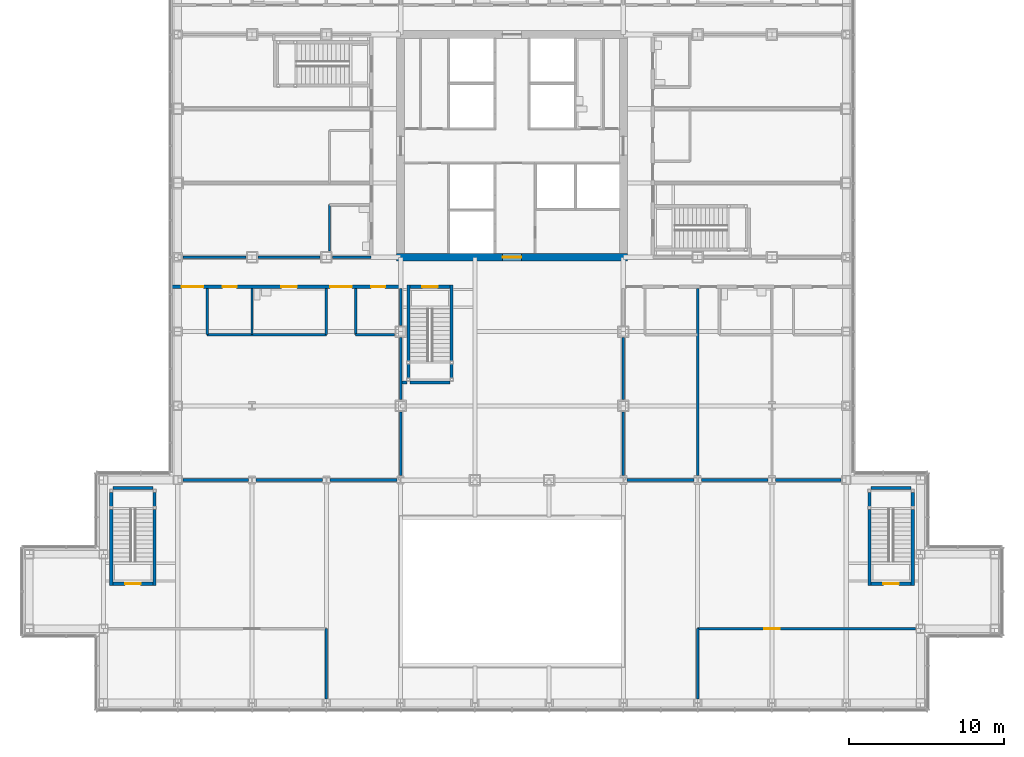
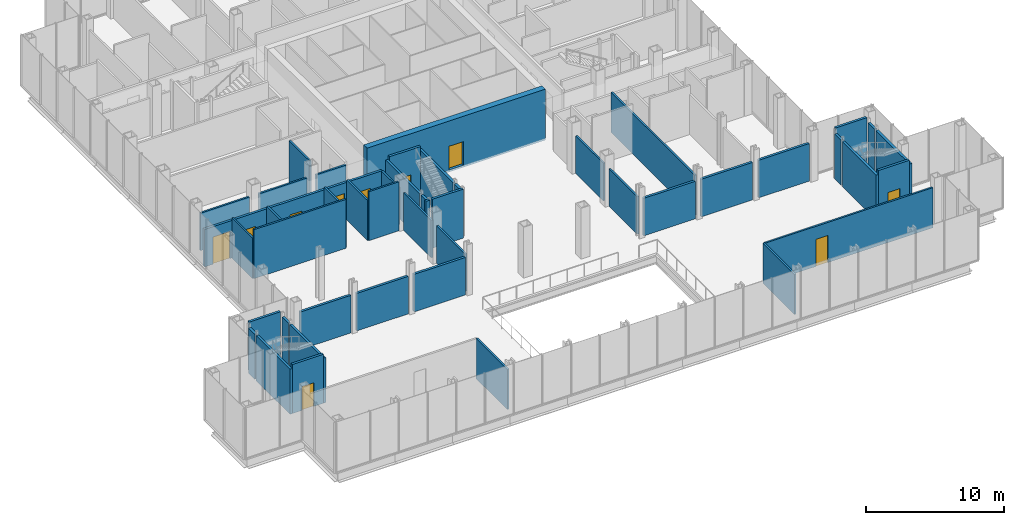
# One storey, part 19 of 25: 46 walls, 10 doors, 10 openings.
"""IFC4 building model written with IfcOpenShell, lengths in metres."""

import ifcopenshell
import ifcopenshell.guid

model = None  # the IFC model being written
_history = None  # IfcOwnerHistory: only IFC2X3 demands one
_inside = {}  # id of a spatial element -> (the spatial element, [elements in it])
_under = {}  # id of a project, library or spatial element -> (it, [spatial elements below it])
_declared = {}  # id of a project -> (the project, [libraries it declares])
_typed = {}  # id of a type object -> (the type object, [elements of that type])
_made_of = {}  # id of a material, layer set ... -> (it, [elements and type objects made of it])


def new_model(schema):
    """Start an empty IFC model of exactly this schema.

    Asked for "IFC4X3", IfcOpenShell would pick the latest addendum, in which some entities
    have other attributes; the version numbers below select the first issue.
    IFC2X3 requires an IfcOwnerHistory on every rooted entity: one is made here for all.
    """
    global model, _history
    if schema == "IFC4X3":
        model = ifcopenshell.file(schema_version=(4, 3, 0, 0))
    else:
        model = ifcopenshell.file(schema=schema)
    _inside.clear()
    _under.clear()
    _declared.clear()
    _typed.clear()
    _made_of.clear()
    _history = None
    if model.schema == "IFC2X3":
        org = make("IfcOrganization", Name="unknown")
        user = make(
            "IfcPersonAndOrganization",
            ThePerson=make("IfcPerson", FamilyName="unknown"),
            TheOrganization=org,
        )
        app = make(
            "IfcApplication",
            ApplicationDeveloper=org,
            Version="unknown",
            ApplicationFullName="unknown",
            ApplicationIdentifier="unknown",
        )
        _history = make(
            "IfcOwnerHistory",
            OwningUser=user,
            OwningApplication=app,
            ChangeAction="ADDED",
            CreationDate=0,
        )
    return model


def make(cls, **values):
    """One entity of the class cls with the attributes given. An attribute that is None is left unset."""
    return model.create_entity(
        cls, **{name: value for name, value in values.items() if value is not None}
    )


def rooted(cls, **values):
    """An entity with a GlobalId (a new one), such as an element, a storey or a relation."""
    return make(cls, GlobalId=ifcopenshell.guid.new(), OwnerHistory=_history, **values)


def si_unit(unit_type, name, prefix=None):
    """IfcSIUnit, for example si_unit("LENGTHUNIT", "METRE", prefix="MILLI")."""
    return make("IfcSIUnit", UnitType=unit_type, Prefix=prefix, Name=name)


def assignment(units):
    """IfcUnitAssignment: the units of a project."""
    return None if units is None else make("IfcUnitAssignment", Units=units)


def point(xyz):
    """IfcCartesianPoint."""
    return None if xyz is None else make("IfcCartesianPoint", Coordinates=xyz)


def direction(xyz):
    """IfcDirection."""
    return None if xyz is None else make("IfcDirection", DirectionRatios=xyz)


def frame(location, z_axis=None, x_axis=None):
    """IfcAxis2Placement3D, a coordinate frame: its origin and axes. An axis left out is left unset."""
    return make(
        "IfcAxis2Placement3D",
        Location=point(location),
        Axis=direction(z_axis),
        RefDirection=direction(x_axis),
    )


def frame_2d(location, x_axis=None):
    """IfcAxis2Placement2D, a coordinate frame in the plane: its origin and x axis."""
    return make(
        "IfcAxis2Placement2D", Location=point(location), RefDirection=direction(x_axis)
    )


def origin():
    """The frame at (0, 0, 0) with its axes left unset."""
    return frame((0.0, 0.0, 0.0))


def place(relative_to, where):
    """IfcLocalPlacement: puts the frame where relative to a parent placement (None: the world)."""
    return make(
        "IfcLocalPlacement", PlacementRelTo=relative_to, RelativePlacement=where
    )


def context(
    kind, dimensions, precision=None, world=None, true_north=None, identifier=None
):
    """IfcGeometricRepresentationContext, for example the 3D "Model" context."""
    return make(
        "IfcGeometricRepresentationContext",
        ContextIdentifier=identifier,
        ContextType=kind,
        CoordinateSpaceDimension=dimensions,
        Precision=precision,
        WorldCoordinateSystem=world,
        TrueNorth=true_north,
    )


def subcontext(parent, identifier, kind, view, scale=None):
    """IfcGeometricRepresentationSubContext, for example "Body" below "Model"."""
    return make(
        "IfcGeometricRepresentationSubContext",
        ContextIdentifier=identifier,
        ContextType=kind,
        ParentContext=parent,
        TargetScale=scale,
        TargetView=view,
    )


def project(units=None, contexts=None):
    """IfcProject with its units and contexts."""
    return rooted(
        "IfcProject",
        Name="project",
        RepresentationContexts=contexts,
        UnitsInContext=assignment(units),
    )


def spatial(cls, under=None, at=None, **own):
    """A site, building, storey or space (cls), placed at a placement, below another one or the project."""
    s = rooted(cls, ObjectPlacement=at, **own)
    if under is not None:
        _under.setdefault(under.id(), (under, []))[1].append(s)
    return s


def profile(cls, at=None, kind="AREA", **sizes):
    """A parametric profile (cls). Its sizes go by their IFC names, for example OverallWidth=200.0."""
    return make(cls, ProfileType=kind, Position=at, **sizes)


def rectangle(**sizes):
    """IfcRectangleProfileDef."""
    return profile("IfcRectangleProfileDef", **sizes)


def extrude(swept, where, along, depth):
    """IfcExtrudedAreaSolid: the profile swept, set in the frame where, extruded along a direction by depth."""
    return make(
        "IfcExtrudedAreaSolid",
        SweptArea=swept,
        Position=where,
        ExtrudedDirection=direction(along),
        Depth=depth,
    )


def shape(context_of_items, identifier, shape_type, items):
    """IfcShapeRepresentation: the items that make up one representation, for example the "Body"."""
    return make(
        "IfcShapeRepresentation",
        ContextOfItems=context_of_items,
        RepresentationIdentifier=identifier,
        RepresentationType=shape_type,
        Items=items,
    )


def material(Name=None, Category=None):
    """IfcMaterial."""
    return make("IfcMaterial", Name=Name, Category=Category)


def layer(
    of_material, thickness, ventilated=None, Name=None, Category=None, Priority=None
):
    """IfcMaterialLayer: one layer of a wall or slab, of a material (None: an air gap)."""
    return make(
        "IfcMaterialLayer",
        Material=of_material,
        LayerThickness=thickness,
        IsVentilated=ventilated,
        Name=Name,
        Category=Category,
        Priority=Priority,
    )


def layer_set(layers, Name=None):
    """IfcMaterialLayerSet."""
    return make("IfcMaterialLayerSet", MaterialLayers=layers, LayerSetName=Name)


def made_of(thing, what):
    """Note that an element or type object is made of a material, layer set ...; save() writes the relation."""
    if what is not None:
        _made_of.setdefault(what.id(), (what, []))[1].append(thing)
    return thing


def type_object(cls, material=None, **own):
    """A type object (cls), such as IfcWallType, which elements share."""
    return made_of(rooted(cls, **own), material)


def element(
    cls,
    number,
    at=None,
    inside=None,
    cuts=None,
    type_object=None,
    material=None,
    context=None,
    identifier="Body",
    shape_type=None,
    held_by="IfcProductDefinitionShape",
    body=None,
    shapes=None,
    **own,
):
    """One element of the class cls, such as IfcWall. Its Tag is "e" and its number.

    at: its placement. inside: the storey or other place that contains it. cuts: it is an
    opening in that element (IfcRelVoidsElement). A single representation is given by context,
    identifier, shape_type and body (its items); several are given by shapes. held_by: the class
    of the entity that holds the representations. save() writes the other relations.
    """
    e = rooted(cls, Tag="e%d" % number, ObjectPlacement=at, **own)
    if body is not None:
        shapes = [shape(context, identifier, shape_type, body)]
    if shapes is not None:
        e.Representation = make(held_by, Representations=shapes)
    if inside is not None:
        _inside.setdefault(inside.id(), (inside, []))[1].append(e)
    if cuts is not None:
        rooted(
            "IfcRelVoidsElement", RelatingBuildingElement=cuts, RelatedOpeningElement=e
        )
    if type_object is not None:
        _typed.setdefault(type_object.id(), (type_object, []))[1].append(e)
    return made_of(e, material)


def fill(opening, filler):
    """IfcRelFillsElement: the door or window that sits in an opening."""
    return rooted(
        "IfcRelFillsElement",
        RelatingOpeningElement=opening,
        RelatedBuildingElement=filler,
    )


def aggregate(whole, parts):
    """IfcRelAggregates: a whole, such as a stair, and the parts it consists of."""
    return rooted("IfcRelAggregates", RelatingObject=whole, RelatedObjects=parts)


def save(model, path):
    """Write the relations noted so far, then the file.

    IfcRelAggregates (storeys below a building ...), IfcRelContainedInSpatialStructure (elements
    in a storey), IfcRelDefinesByType, IfcRelAssociatesMaterial and IfcRelDeclares: one each for
    every whole, place, type object, material and project.
    """
    for whole, parts in _under.values():
        aggregate(whole, parts)
    for where, things in _inside.values():
        rooted(
            "IfcRelContainedInSpatialStructure",
            RelatedElements=things,
            RelatingStructure=where,
        )
    for kind, things in _typed.values():
        rooted("IfcRelDefinesByType", RelatedObjects=things, RelatingType=kind)
    for what, things in _made_of.values():
        rooted("IfcRelAssociatesMaterial", RelatedObjects=things, RelatingMaterial=what)
    for by, libraries in _declared.values():
        rooted("IfcRelDeclares", RelatingContext=by, RelatedDefinitions=libraries)
    model.write(path)


model = new_model("IFC4")

# Units and contexts
model_context = context("Model", 3, precision=1e-05, world=origin(), true_north=direction((0.0, 1.0)))
body_context = subcontext(model_context, "Body", "Model", "MODEL_VIEW")
ifc_project = project(units=[si_unit("LENGTHUNIT", "METRE"), si_unit("AREAUNIT", "SQUARE_METRE"), si_unit("VOLUMEUNIT", "CUBIC_METRE"), si_unit("PLANEANGLEUNIT", "RADIAN"), si_unit("MASSUNIT", "GRAM", prefix="KILO")], contexts=[model_context])

# Site, building, storey
site_placement = place(None, origin())
site = spatial("IfcSite", under=ifc_project, at=site_placement, CompositionType="ELEMENT")
building_placement = place(site_placement, origin())
building = spatial("IfcBuilding", under=site, at=building_placement, Name="Kvirike Care Tower", CompositionType="ELEMENT")
storey_placement = place(building_placement, frame((0.0, 0.0, 9.0)))
storey = spatial("IfcBuildingStorey", under=building, at=storey_placement, Name="L02", CompositionType="ELEMENT", Elevation=9.0)

# Walls
ifc_material_1 = material(Name="Plasterboard partition", Category="gypsum")
ifc_layer_1 = layer(ifc_material_1, 0.14990234375)
ifc_layer_set_1 = layer_set([ifc_layer_1], Name="CLINIC PARTITION 150")
wall_type_1 = type_object("IfcWallType", Name="CLINIC PARTITION 150", PredefinedType="PARTITIONING", material=ifc_layer_set_1)
for number, where, z_axis, x_axis, name in (
    (1, (9.60009765625, 23.800048828125, 0.0), (0.0, 0.0, 1.0), (0.0, 1.0, 0.0), "Clinic Partition 150 L02"),
    (2, (1.89990234375, 23.800048828125, 0.0), (0.0, 0.0, 1.0), (0.0, 1.0, 0.0), "Clinic Partition 150 L02"),
):
    element("IfcWall", number, at=place(storey_placement, frame(where, z_axis=z_axis, x_axis=x_axis)), inside=storey, type_object=wall_type_1, Name=name, PredefinedType="PARTITIONING", context=body_context, shape_type="SweptSolid", body=[
        extrude(rectangle(XDim=3.0, YDim=0.14990234375, at=frame_2d((1.5, 0.0))), origin(), (0.0, 0.0, 1.0), 3.550048828125),
    ])
wall_1_placement = place(storey_placement, frame((1.89990234375, 23.800048828125, 0.0), z_axis=(0.0, 0.0, 1.0), x_axis=(1.0, 0.0, 0.0)))
element("IfcWall", 3, at=wall_1_placement, inside=storey, type_object=wall_type_1, Name="Clinic Partition 150 L02", PredefinedType="PARTITIONING", context=body_context, shape_type="SweptSolid", body=[
    extrude(rectangle(XDim=7.7001953125, YDim=0.14990234375, at=frame_2d((3.85009765625, 0.0))), origin(), (0.0, 0.0, 1.0), 4.330078125),
])
for number, where, z_axis, x_axis, name in (
    (4, (4.800048828125, 23.800048828125, 0.0), (0.0, 0.0, 1.0), (0.0, 1.0, 0.0), "Clinic Partition 150 L02"),
    (5, (11.5, 23.800048828125, 0.0), (0.0, 0.0, 1.0), (0.0, 1.0, 0.0), "Clinic Partition 150 L02"),
):
    element("IfcWall", number, at=place(storey_placement, frame(where, z_axis=z_axis, x_axis=x_axis)), inside=storey, type_object=wall_type_1, Name=name, PredefinedType="PARTITIONING", context=body_context, shape_type="SweptSolid", body=[
        extrude(rectangle(XDim=3.0, YDim=0.14990234375, at=frame_2d((1.5, 0.0))), origin(), (0.0, 0.0, 1.0), 3.550048828125),
    ])
wall_2_placement = place(storey_placement, frame((11.5, 23.800048828125, 0.0), z_axis=(0.0, 0.0, 1.0), x_axis=(1.0, 0.0, 0.0)))
element("IfcWall", 6, at=wall_2_placement, inside=storey, type_object=wall_type_1, Name="Clinic Partition 150 L02", PredefinedType="PARTITIONING", context=body_context, shape_type="SweptSolid", body=[
    extrude(rectangle(XDim=2.5048828125, YDim=0.14990234375, at=frame_2d((1.25244140625, 0.0))), origin(), (0.0, 0.0, 1.0), 4.330078125),
])
wall_3_placement = place(storey_placement, frame((9.800048828125, 32.199951171875, 0.0), z_axis=(0.0, 0.0, 1.0), x_axis=(0.0, -1.0, 0.0)))
element("IfcWall", 7, at=wall_3_placement, inside=storey, type_object=wall_type_1, Name="Clinic Partition 150 L02", PredefinedType="PARTITIONING", context=body_context, shape_type="SweptSolid", body=[
    extrude(rectangle(XDim=3.0048828125, YDim=0.14990234375, at=frame_2d((1.50244140625, 0.0))), origin(), (0.0, 0.0, 1.0), 4.330078125),
])
wall_4_placement = place(storey_placement, frame((33.60009765625, 14.70458984375, 0.0), z_axis=(0.0, 0.0, 1.0), x_axis=(0.0, 1.0, 0.0)))
element("IfcWall", 8, at=wall_4_placement, inside=storey, type_object=wall_type_1, Name="Clinic Partition 150 L02", PredefinedType="PARTITIONING", context=body_context, shape_type="SweptSolid", body=[
    extrude(rectangle(XDim=12.095458984375, YDim=0.14990234375, at=frame_2d((6.0478515625, 0.0))), origin(), (0.0, 0.0, 1.0), 3.550048828125),
])

# Wall, opening, door
wall_5_placement = place(storey_placement, frame((33.60009765625, 4.800048828125, 0.0), z_axis=(0.0, 0.0, 1.0), x_axis=(1.0, 0.0, 0.0)))
wall_5 = element("IfcWall", 9, at=wall_5_placement, inside=storey, type_object=wall_type_1, Name="Clinic Partition 150 L02", PredefinedType="PARTITIONING", context=body_context, shape_type="SweptSolid", body=[
    extrude(rectangle(XDim=14.079833984375, YDim=0.14990234375, at=frame_2d((7.0400390625, 0.0))), origin(), (0.0, 0.0, 1.0), 3.550048828125),
])
opening_1_placement = place(wall_5_placement, frame((4.300048828125, 0.0, 0.0)))
opening_1 = element("IfcOpeningElement", 10, at=opening_1_placement, cuts=wall_5, Name="Opening 02-045", PredefinedType="OPENING", context=body_context, shape_type="SweptSolid", body=[
    extrude(rectangle(XDim=1.0, YDim=2.39990234375, at=frame_2d((0.5, 1.199951171875))), frame((0.0, 0.08544921875, 0.0), z_axis=(0.0, -1.0, 0.0), x_axis=(1.0, 0.0, 0.0)), (0.0, 0.0, 1.0), 0.1708984375),
])
ifc_material_2 = material(Name="Timber door set", Category="wood")
door_type_1 = type_object("IfcDoorType", Name="CONSULTING ROOM DOOR 1000", OperationType="SINGLE_SWING_LEFT", PredefinedType="DOOR", material=ifc_material_2)
door_1_placement = place(opening_1_placement, frame((1.0, 0.0, 0.0), z_axis=(0.0, 0.0, 1.0), x_axis=(-1.0, 0.0, 0.0)))
door_1 = element("IfcDoor", 11, at=door_1_placement, inside=storey, type_object=door_type_1, Name="Room door", OperationType="SINGLE_SWING_LEFT", OverallHeight=2.39990234375, OverallWidth=1.0, PredefinedType="DOOR", context=body_context, shape_type="SweptSolid", body=[
    extrude(rectangle(XDim=1.0, YDim=2.39990234375, at=frame_2d((0.5, 1.199951171875))), frame((0.0, 0.02685546875, 0.0), z_axis=(0.0, -1.0, 0.0), x_axis=(1.0, 0.0, 0.0)), (0.0, 0.0, 1.0), 0.053955078125),
])
fill(opening_1, door_1)

# Walls
for number, where, z_axis, x_axis, name in (
    (12, (9.60009765625, 0.243896484375, 0.0), (0.0, 0.0, 1.0), (0.0, 1.0, 0.0), "Clinic Partition 150 L02"),
    (13, (33.60009765625, 0.243896484375, 0.0), (0.0, 0.0, 1.0), (0.0, 1.0, 0.0), "Clinic Partition 150 L02"),
):
    element("IfcWall", number, at=place(storey_placement, frame(where, z_axis=z_axis, x_axis=x_axis)), inside=storey, type_object=wall_type_1, Name=name, PredefinedType="PARTITIONING", context=body_context, shape_type="SweptSolid", body=[
        extrude(rectangle(XDim=4.55615234375, YDim=0.14990234375, at=frame_2d((2.278076171875, 0.0))), origin(), (0.0, 0.0, 1.0), 3.550048828125),
    ])
wall_6_placement = place(storey_placement, frame((12.5, 28.800048828125, 0.0), z_axis=(0.0, 0.0, 1.0), x_axis=(-1.0, 0.0, 0.0)))
element("IfcWall", 14, at=wall_6_placement, inside=storey, type_object=wall_type_1, Name="Clinic Partition 150 L02", PredefinedType="PARTITIONING", context=body_context, shape_type="SweptSolid", body=[
    extrude(rectangle(XDim=2.5048828125, YDim=0.14990234375, at=frame_2d((1.25244140625, 0.0))), origin(), (0.0, 0.0, 1.0), 3.320068359375),
])
wall_7_placement = place(storey_placement, frame((9.205078125, 28.800048828125, 0.0), z_axis=(0.0, 0.0, 1.0), x_axis=(-1.0, 0.0, 0.0)))
element("IfcWall", 15, at=wall_7_placement, inside=storey, type_object=wall_type_1, Name="Clinic Partition 150 L02", PredefinedType="PARTITIONING", context=body_context, shape_type="SweptSolid", body=[
    extrude(rectangle(XDim=4.010009765625, YDim=0.14990234375, at=frame_2d((2.0048828125, 0.0))), origin(), (0.0, 0.0, 1.0), 3.320068359375),
])
wall_8_placement = place(storey_placement, frame((4.405029296875, 28.800048828125, 0.0), z_axis=(0.0, 0.0, 1.0), x_axis=(-1.0, 0.0, 0.0)))
element("IfcWall", 16, at=wall_8_placement, inside=storey, type_object=wall_type_1, Name="Clinic Partition 150 L02", PredefinedType="PARTITIONING", context=body_context, shape_type="SweptSolid", body=[
    extrude(rectangle(XDim=4.0849609375, YDim=0.14990234375, at=frame_2d((2.04248046875, 0.0))), origin(), (0.0, 0.0, 1.0), 3.320068359375),
])
wall_9_placement = place(storey_placement, frame((14.39990234375, 14.685546875, 0.0), z_axis=(0.0, 0.0, 1.0), x_axis=(0.0, 1.0, 0.0)))
element("IfcWall", 17, at=wall_9_placement, inside=storey, type_object=wall_type_1, Name="Clinic Partition 150 L02", PredefinedType="PARTITIONING", context=body_context, shape_type="SweptSolid", body=[
    extrude(rectangle(XDim=4.119384765625, YDim=0.14990234375, at=frame_2d((2.0595703125, 0.0))), origin(), (0.0, 0.0, 1.0), 3.320068359375),
])
wall_10_placement = place(storey_placement, frame((14.39990234375, 19.594970703125, 0.0), z_axis=(0.0, 0.0, 1.0), x_axis=(0.0, 1.0, 0.0)))
element("IfcWall", 18, at=wall_10_placement, inside=storey, type_object=wall_type_1, Name="Clinic Partition 150 L02", PredefinedType="PARTITIONING", context=body_context, shape_type="SweptSolid", body=[
    extrude(rectangle(XDim=4.010009765625, YDim=0.14990234375, at=frame_2d((2.0048828125, 0.0))), origin(), (0.0, 0.0, 1.0), 3.320068359375),
])
wall_11_placement = place(storey_placement, frame((14.39990234375, 24.39501953125, 0.0), z_axis=(0.0, 0.0, 1.0), x_axis=(0.0, 1.0, 0.0)))
element("IfcWall", 19, at=wall_11_placement, inside=storey, type_object=wall_type_1, Name="Clinic Partition 150 L02", PredefinedType="PARTITIONING", context=body_context, shape_type="SweptSolid", body=[
    extrude(rectangle(XDim=2.405029296875, YDim=0.14990234375, at=frame_2d((1.20263671875, 0.0))), origin(), (0.0, 0.0, 1.0), 3.320068359375),
])
wall_12_placement = place(storey_placement, frame((28.800048828125, 14.70458984375, 0.0), z_axis=(0.0, 0.0, 1.0), x_axis=(0.0, 1.0, 0.0)))
element("IfcWall", 20, at=wall_12_placement, inside=storey, type_object=wall_type_1, Name="Clinic Partition 150 L02", PredefinedType="PARTITIONING", context=body_context, shape_type="SweptSolid", body=[
    extrude(rectangle(XDim=4.100341796875, YDim=0.14990234375, at=frame_2d((2.05029296875, 0.0))), origin(), (0.0, 0.0, 1.0), 3.320068359375),
])
wall_13_placement = place(storey_placement, frame((28.800048828125, 19.594970703125, 0.0), z_axis=(0.0, 0.0, 1.0), x_axis=(0.0, 1.0, 0.0)))
element("IfcWall", 21, at=wall_13_placement, inside=storey, type_object=wall_type_1, Name="Clinic Partition 150 L02", PredefinedType="PARTITIONING", context=body_context, shape_type="SweptSolid", body=[
    extrude(rectangle(XDim=4.010009765625, YDim=0.14990234375, at=frame_2d((2.0048828125, 0.0))), origin(), (0.0, 0.0, 1.0), 3.320068359375),
])

# Wall, opening, door
ifc_material_3 = material(Name="Concrete C60/75", Category="concrete")
ifc_layer_2 = layer(ifc_material_3, 0.5)
ifc_layer_set_2 = layer_set([ifc_layer_2], Name="CORE WALL 500 C60-75")
wall_type_2 = type_object("IfcWallType", Name="CORE WALL 500 C60-75", PredefinedType="SHEAR", material=ifc_layer_set_2)
wall_14_placement = place(storey_placement, frame((14.14990234375, 28.800048828125, -0.169921875), z_axis=(0.0, 0.0, 1.0), x_axis=(1.0, 0.0, 0.0)))
wall_14 = element("IfcWall", 22, at=wall_14_placement, inside=storey, type_object=wall_type_2, Name="Core wall S L02", PredefinedType="SHEAR", context=body_context, shape_type="SweptSolid", body=[
    extrude(rectangle(XDim=14.900146484375, YDim=0.5, at=frame_2d((7.4501953125, 0.0))), origin(), (0.0, 0.0, 1.0), 4.5),
])
opening_2_placement = place(wall_14_placement, frame((6.85009765625, 0.0, 0.169921875)))
opening_2 = element("IfcOpeningElement", 23, at=opening_2_placement, cuts=wall_14, Name="Opening 02-057", PredefinedType="OPENING", context=body_context, shape_type="SweptSolid", body=[
    extrude(rectangle(XDim=1.199951171875, YDim=2.10009765625, at=frame_2d((0.60009765625, 1.050048828125))), frame((0.0, 0.260498046875, 0.0), z_axis=(0.0, -1.0, 0.0), x_axis=(1.0, 0.0, 0.0)), (0.0, 0.0, 1.0), 0.52099609375),
])
ifc_material_4 = material(Name="Timber door set", Category="wood")
door_type_2 = type_object("IfcDoorType", Name="CORE DOOR 1200", OperationType="SINGLE_SWING_LEFT", PredefinedType="DOOR", material=ifc_material_4)
door_2_placement = place(opening_2_placement, origin())
door_2 = element("IfcDoor", 24, at=door_2_placement, inside=storey, type_object=door_type_2, Name="Core door S L02", OperationType="SINGLE_SWING_LEFT", OverallHeight=2.10009765625, OverallWidth=1.199951171875, PredefinedType="DOOR", context=body_context, shape_type="SweptSolid", body=[
    extrude(rectangle(XDim=1.199951171875, YDim=2.10009765625, at=frame_2d((0.60009765625, 1.050048828125))), frame((0.0, 0.02685546875, 0.0), z_axis=(0.0, -1.0, 0.0), x_axis=(1.0, 0.0, 0.0)), (0.0, 0.0, 1.0), 0.053955078125),
])
fill(opening_2, door_2)

# Wall, openings, doors
ifc_material_5 = material(Name="Plasterboard corridor wall", Category="gypsum")
ifc_layer_3 = layer(ifc_material_5, 0.199951171875)
ifc_layer_set_3 = layer_set([ifc_layer_3], Name="CORRIDOR WALL 200")
wall_type_3 = type_object("IfcWallType", Name="CORRIDOR WALL 200", PredefinedType="PARTITIONING", material=ifc_layer_set_3)
wall_15_placement = place(storey_placement, frame((-0.455078125, 26.89990234375, 0.0), z_axis=(0.0, 0.0, 1.0), x_axis=(1.0, 0.0, 0.0)))
wall_15 = element("IfcWall", 25, at=wall_15_placement, inside=storey, type_object=wall_type_3, Name="Corridor Wall 200 L02", PredefinedType="PARTITIONING", context=body_context, shape_type="SweptSolid", body=[
    extrude(rectangle(XDim=14.85498046875, YDim=0.199951171875, at=frame_2d((7.427490234375, 0.0))), origin(), (0.0, 0.0, 1.0), 3.320068359375),
])
opening_3_placement = place(wall_15_placement, frame((0.705078125, 0.0, 0.0)))
opening_3 = element("IfcOpeningElement", 26, at=opening_3_placement, cuts=wall_15, Name="Opening 02-001", PredefinedType="OPENING", context=body_context, shape_type="SweptSolid", body=[
    extrude(rectangle(XDim=1.39990234375, YDim=2.39990234375, at=frame_2d((0.699951171875, 1.199951171875))), frame((0.0, 0.110595703125, 0.0), z_axis=(0.0, -1.0, 0.0), x_axis=(1.0, 0.0, 0.0)), (0.0, 0.0, 1.0), 0.220947265625),
])
opening_4_placement = place(wall_15_placement, frame((10.304931640625, 0.0, 0.0)))
opening_4 = element("IfcOpeningElement", 27, at=opening_4_placement, cuts=wall_15, Name="Opening 02-002", PredefinedType="OPENING", context=body_context, shape_type="SweptSolid", body=[
    extrude(rectangle(XDim=1.39990234375, YDim=2.39990234375, at=frame_2d((0.699951171875, 1.199951171875))), frame((0.0, 0.110595703125, 0.0), z_axis=(0.0, -1.0, 0.0), x_axis=(1.0, 0.0, 0.0)), (0.0, 0.0, 1.0), 0.220947265625),
])
opening_5_placement = place(wall_15_placement, frame((3.35498046875, 0.0, 0.0)))
opening_5 = element("IfcOpeningElement", 28, at=opening_5_placement, cuts=wall_15, Name="Opening 02-003", PredefinedType="OPENING", context=body_context, shape_type="SweptSolid", body=[
    extrude(rectangle(XDim=0.89990234375, YDim=2.10009765625, at=frame_2d((0.449951171875, 1.050048828125))), frame((0.0, 0.110595703125, 0.0), z_axis=(0.0, -1.0, 0.0), x_axis=(1.0, 0.0, 0.0)), (0.0, 0.0, 1.0), 0.220947265625),
])
opening_6_placement = place(wall_15_placement, frame((7.155029296875, 0.0, 0.0)))
opening_6 = element("IfcOpeningElement", 29, at=opening_6_placement, cuts=wall_15, Name="Opening 02-004", PredefinedType="OPENING", context=body_context, shape_type="SweptSolid", body=[
    extrude(rectangle(XDim=1.0, YDim=2.10009765625, at=frame_2d((0.5, 1.050048828125))), frame((0.0, 0.110595703125, 0.0), z_axis=(0.0, -1.0, 0.0), x_axis=(1.0, 0.0, 0.0)), (0.0, 0.0, 1.0), 0.220947265625),
])
opening_7_placement = place(wall_15_placement, frame((12.955078125, 0.0, 0.0)))
opening_7 = element("IfcOpeningElement", 30, at=opening_7_placement, cuts=wall_15, Name="Opening 02-005", PredefinedType="OPENING", context=body_context, shape_type="SweptSolid", body=[
    extrude(rectangle(XDim=0.89990234375, YDim=2.10009765625, at=frame_2d((0.449951171875, 1.050048828125))), frame((0.0, 0.110595703125, 0.0), z_axis=(0.0, -1.0, 0.0), x_axis=(1.0, 0.0, 0.0)), (0.0, 0.0, 1.0), 0.220947265625),
])
ifc_material_6 = material(Name="Timber door set", Category="wood")
door_type_3 = type_object("IfcDoorType", Name="STORE DOOR 900", OperationType="SINGLE_SWING_LEFT", PredefinedType="DOOR", material=ifc_material_6)
door_3_placement = place(opening_5_placement, frame((0.89990234375, 0.0, 0.0), z_axis=(0.0, 0.0, 1.0), x_axis=(-1.0, 0.0, 0.0)))
door_3 = element("IfcDoor", 31, at=door_3_placement, inside=storey, type_object=door_type_3, Name="Store door", OperationType="SINGLE_SWING_LEFT", OverallHeight=2.10009765625, OverallWidth=0.89990234375, PredefinedType="DOOR", context=body_context, shape_type="SweptSolid", body=[
    extrude(rectangle(XDim=0.89990234375, YDim=2.10009765625, at=frame_2d((0.449951171875, 1.050048828125))), frame((0.0, 0.02685546875, 0.0), z_axis=(0.0, -1.0, 0.0), x_axis=(1.0, 0.0, 0.0)), (0.0, 0.0, 1.0), 0.053955078125),
])
fill(opening_5, door_3)
door_4_placement = place(opening_7_placement, frame((0.89990234375, 0.0, 0.0), z_axis=(0.0, 0.0, 1.0), x_axis=(-1.0, 0.0, 0.0)))
door_4 = element("IfcDoor", 32, at=door_4_placement, inside=storey, type_object=door_type_3, Name="Changing room door", OperationType="SINGLE_SWING_RIGHT", OverallHeight=2.10009765625, OverallWidth=0.89990234375, PredefinedType="DOOR", context=body_context, shape_type="SweptSolid", body=[
    extrude(rectangle(XDim=0.89990234375, YDim=2.10009765625, at=frame_2d((0.449951171875, 1.050048828125))), frame((0.0, 0.02685546875, 0.0), z_axis=(0.0, -1.0, 0.0), x_axis=(1.0, 0.0, 0.0)), (0.0, 0.0, 1.0), 0.053955078125),
])
fill(opening_7, door_4)
ifc_material_7 = material(Name="Timber door set", Category="wood")
door_type_4 = type_object("IfcDoorType", Name="TREATMENT ROOM DOOR 1400", OperationType="DOUBLE_DOOR_SINGLE_SWING", PredefinedType="DOOR", material=ifc_material_7)
door_5_placement = place(opening_3_placement, frame((1.39990234375, 0.0, 0.0), z_axis=(0.0, 0.0, 1.0), x_axis=(-1.0, 0.0, 0.0)))
door_5 = element("IfcDoor", 33, at=door_5_placement, inside=storey, type_object=door_type_4, Name="Physiotherapy gym door", OperationType="DOUBLE_DOOR_SINGLE_SWING", OverallHeight=2.39990234375, OverallWidth=1.39990234375, PredefinedType="DOOR", context=body_context, shape_type="SweptSolid", body=[
    extrude(rectangle(XDim=1.39990234375, YDim=2.39990234375, at=frame_2d((0.699951171875, 1.199951171875))), frame((0.0, 0.02685546875, 0.0), z_axis=(0.0, -1.0, 0.0), x_axis=(1.0, 0.0, 0.0)), (0.0, 0.0, 1.0), 0.053955078125),
])
fill(opening_3, door_5)
door_6_placement = place(opening_4_placement, frame((1.39990234375, 0.0, 0.0), z_axis=(0.0, 0.0, 1.0), x_axis=(-1.0, 0.0, 0.0)))
door_6 = element("IfcDoor", 34, at=door_6_placement, inside=storey, type_object=door_type_4, Name="Physiotherapy gym door", OperationType="DOUBLE_DOOR_SINGLE_SWING", OverallHeight=2.39990234375, OverallWidth=1.39990234375, PredefinedType="DOOR", context=body_context, shape_type="SweptSolid", body=[
    extrude(rectangle(XDim=1.39990234375, YDim=2.39990234375, at=frame_2d((0.699951171875, 1.199951171875))), frame((0.0, 0.02685546875, 0.0), z_axis=(0.0, -1.0, 0.0), x_axis=(1.0, 0.0, 0.0)), (0.0, 0.0, 1.0), 0.053955078125),
])
fill(opening_4, door_6)
ifc_material_8 = material(Name="Timber door set", Category="wood")
door_type_5 = type_object("IfcDoorType", Name="WC DOOR 1000", OperationType="SINGLE_SWING_LEFT", PredefinedType="DOOR", material=ifc_material_8)
door_7_placement = place(opening_6_placement, frame((1.0, 0.0, 0.0), z_axis=(0.0, 0.0, 1.0), x_axis=(-1.0, 0.0, 0.0)))
door_7 = element("IfcDoor", 35, at=door_7_placement, inside=storey, type_object=door_type_5, Name="Accessible WC door", OperationType="SINGLE_SWING_LEFT", OverallHeight=2.10009765625, OverallWidth=1.0, PredefinedType="DOOR", context=body_context, shape_type="SweptSolid", body=[
    extrude(rectangle(XDim=1.0, YDim=2.10009765625, at=frame_2d((0.5, 1.050048828125))), frame((0.0, 0.02685546875, 0.0), z_axis=(0.0, -1.0, 0.0), x_axis=(1.0, 0.0, 0.0)), (0.0, 0.0, 1.0), 0.053955078125),
])
fill(opening_6, door_7)

# Walls
ifc_material_9 = material(Name="Plasterboard party wall", Category="gypsum")
ifc_layer_4 = layer(ifc_material_9, 0.199951171875)
ifc_layer_set_4 = layer_set([ifc_layer_4], Name="PARTY WALL 200")
wall_type_4 = type_object("IfcWallType", Name="PARTY WALL 200", PredefinedType="PARTITIONING", material=ifc_layer_set_4)
wall_16_placement = place(storey_placement, frame((0.320068359375, 14.39990234375, 0.0), z_axis=(0.0, 0.0, 1.0), x_axis=(1.0, 0.0, 0.0)))
element("IfcWall", 36, at=wall_16_placement, inside=storey, type_object=wall_type_4, Name="Party Wall 200 L02", PredefinedType="PARTITIONING", context=body_context, shape_type="SweptSolid", body=[
    extrude(rectangle(XDim=4.239013671875, YDim=0.199951171875, at=frame_2d((2.11962890625, 0.0))), origin(), (0.0, 0.0, 1.0), 3.320068359375),
])
for number, where, z_axis, x_axis, name in (
    (37, (5.041015625, 14.39990234375, 0.0), (0.0, 0.0, 1.0), (1.0, 0.0, 0.0), "Party Wall 200 L02"),
    (38, (9.841064453125, 14.39990234375, 0.0), (0.0, 0.0, 1.0), (1.0, 0.0, 0.0), "Party Wall 200 L02"),
):
    element("IfcWall", number, at=place(storey_placement, frame(where, z_axis=z_axis, x_axis=x_axis)), inside=storey, type_object=wall_type_4, Name=name, PredefinedType="PARTITIONING", context=body_context, shape_type="SweptSolid", body=[
        extrude(rectangle(XDim=4.31787109375, YDim=0.199951171875, at=frame_2d((2.158935546875, 0.0))), origin(), (0.0, 0.0, 1.0), 3.320068359375),
    ])
wall_17_placement = place(storey_placement, frame((29.047119140625, 14.39990234375, 0.0), z_axis=(0.0, 0.0, 1.0), x_axis=(1.0, 0.0, 0.0)))
element("IfcWall", 39, at=wall_17_placement, inside=storey, type_object=wall_type_4, Name="Party Wall 200 L02", PredefinedType="PARTITIONING", context=body_context, shape_type="SweptSolid", body=[
    extrude(rectangle(XDim=4.305908203125, YDim=0.199951171875, at=frame_2d((2.15283203125, 0.0))), origin(), (0.0, 0.0, 1.0), 3.320068359375),
])
wall_18_placement = place(storey_placement, frame((33.846923828125, 14.39990234375, 0.0), z_axis=(0.0, 0.0, 1.0), x_axis=(1.0, 0.0, 0.0)))
element("IfcWall", 40, at=wall_18_placement, inside=storey, type_object=wall_type_4, Name="Party Wall 200 L02", PredefinedType="PARTITIONING", context=body_context, shape_type="SweptSolid", body=[
    extrude(rectangle(XDim=4.30615234375, YDim=0.199951171875, at=frame_2d((2.153076171875, 0.0))), origin(), (0.0, 0.0, 1.0), 3.320068359375),
])
wall_19_placement = place(storey_placement, frame((38.64697265625, 14.39990234375, 0.0), z_axis=(0.0, 0.0, 1.0), x_axis=(1.0, 0.0, 0.0)))
element("IfcWall", 41, at=wall_19_placement, inside=storey, type_object=wall_type_4, Name="Party Wall 200 L02", PredefinedType="PARTITIONING", context=body_context, shape_type="SweptSolid", body=[
    extrude(rectangle(XDim=4.23291015625, YDim=0.199951171875, at=frame_2d((2.116455078125, 0.0))), origin(), (0.0, 0.0, 1.0), 3.320068359375),
])
ifc_material_10 = material(Name="Concrete C40/50", Category="concrete")
ifc_layer_5 = layer(ifc_material_10, 0.199951171875)
ifc_layer_set_5 = layer_set([ifc_layer_5], Name="STAIR WALL 200")
wall_type_5 = type_object("IfcWallType", Name="STAIR WALL 200", PredefinedType="SOLIDWALL", material=ifc_layer_set_5)
wall_20_placement = place(storey_placement, frame((14.89990234375, 21.0, 0.0), z_axis=(0.0, 0.0, 1.0), x_axis=(0.0, 1.0, 0.0)))
element("IfcWall", 42, at=wall_20_placement, inside=storey, type_object=wall_type_5, Name="Stair Wall 200 L02", PredefinedType="SOLIDWALL", context=body_context, shape_type="SweptSolid", body=[
    extrude(rectangle(XDim=0.89990234375, YDim=0.199951171875, at=frame_2d((0.449951171875, 0.0))), origin(), (0.0, 0.0, 1.0), 3.989990234375),
])
wall_21_placement = place(storey_placement, frame((14.89990234375, 22.10009765625, 0.0), z_axis=(0.0, 0.0, 1.0), x_axis=(0.0, 1.0, 0.0)))
element("IfcWall", 43, at=wall_21_placement, inside=storey, type_object=wall_type_5, Name="Stair Wall 200 L02", PredefinedType="SOLIDWALL", context=body_context, shape_type="SweptSolid", body=[
    extrude(rectangle(XDim=4.89990234375, YDim=0.199951171875, at=frame_2d((2.449951171875, 0.0))), origin(), (0.0, 0.0, 1.0), 3.989990234375),
])
wall_22_placement = place(storey_placement, frame((17.699951171875, 21.0, 0.0), z_axis=(0.0, 0.0, 1.0), x_axis=(0.0, 1.0, 0.0)))
element("IfcWall", 44, at=wall_22_placement, inside=storey, type_object=wall_type_5, Name="Stair Wall 200 L02", PredefinedType="SOLIDWALL", context=body_context, shape_type="SweptSolid", body=[
    extrude(rectangle(XDim=0.89990234375, YDim=0.199951171875, at=frame_2d((0.449951171875, 0.0))), origin(), (0.0, 0.0, 1.0), 3.989990234375),
])
wall_23_placement = place(storey_placement, frame((17.699951171875, 22.10009765625, 0.0), z_axis=(0.0, 0.0, 1.0), x_axis=(0.0, 1.0, 0.0)))
element("IfcWall", 45, at=wall_23_placement, inside=storey, type_object=wall_type_5, Name="Stair Wall 200 L02", PredefinedType="SOLIDWALL", context=body_context, shape_type="SweptSolid", body=[
    extrude(rectangle(XDim=4.89990234375, YDim=0.199951171875, at=frame_2d((2.449951171875, 0.0))), origin(), (0.0, 0.0, 1.0), 3.989990234375),
])
wall_24_placement = place(storey_placement, frame((14.47509765625, 20.699951171875, 0.0), z_axis=(0.0, 0.0, 1.0), x_axis=(1.0, 0.0, 0.0)))
element("IfcWall", 46, at=wall_24_placement, inside=storey, type_object=wall_type_5, Name="Stair Wall 200 L02", PredefinedType="SOLIDWALL", context=body_context, shape_type="SweptSolid", body=[
    extrude(rectangle(XDim=0.324951171875, YDim=0.199951171875, at=frame_2d((0.16259765625, 0.0))), origin(), (0.0, 0.0, 1.0), 4.330078125),
])
wall_25_placement = place(storey_placement, frame((15.0, 20.699951171875, 0.0), z_axis=(0.0, 0.0, 1.0), x_axis=(1.0, 0.0, 0.0)))
element("IfcWall", 47, at=wall_25_placement, inside=storey, type_object=wall_type_5, Name="Stair Wall 200 L02", PredefinedType="SOLIDWALL", context=body_context, shape_type="SweptSolid", body=[
    extrude(rectangle(XDim=2.60009765625, YDim=0.199951171875, at=frame_2d((1.300048828125, 0.0))), origin(), (0.0, 0.0, 1.0), 4.330078125),
])

# Wall, opening, door
wall_26_placement = place(storey_placement, frame((15.0, 26.89990234375, 0.0), z_axis=(0.0, 0.0, 1.0), x_axis=(1.0, 0.0, 0.0)))
wall_26 = element("IfcWall", 48, at=wall_26_placement, inside=storey, type_object=wall_type_5, Name="Stair Wall 200 L02", PredefinedType="SOLIDWALL", context=body_context, shape_type="SweptSolid", body=[
    extrude(rectangle(XDim=2.60009765625, YDim=0.199951171875, at=frame_2d((1.300048828125, 0.0))), origin(), (0.0, 0.0, 1.0), 4.330078125),
])
opening_8_placement = place(wall_26_placement, frame((0.800048828125, 0.0, 0.0)))
opening_8 = element("IfcOpeningElement", 49, at=opening_8_placement, cuts=wall_26, Name="Opening 02-018", PredefinedType="OPENING", context=body_context, shape_type="SweptSolid", body=[
    extrude(rectangle(XDim=1.0, YDim=2.10009765625, at=frame_2d((0.5, 1.050048828125))), frame((0.0, 0.110595703125, 0.0), z_axis=(0.0, -1.0, 0.0), x_axis=(1.0, 0.0, 0.0)), (0.0, 0.0, 1.0), 0.220947265625),
])
ifc_material_11 = material(Name="Timber door set", Category="wood")
door_type_6 = type_object("IfcDoorType", Name="STAIR DOOR 1000", OperationType="SINGLE_SWING_LEFT", PredefinedType="DOOR", material=ifc_material_11)
door_8_placement = place(opening_8_placement, frame((1.0, 0.0, 0.0), z_axis=(0.0, 0.0, 1.0), x_axis=(-1.0, 0.0, 0.0)))
door_8 = element("IfcDoor", 50, at=door_8_placement, inside=storey, type_object=door_type_6, Name="Stair 5 door", OperationType="SINGLE_SWING_LEFT", OverallHeight=2.10009765625, OverallWidth=1.0, PredefinedType="DOOR", context=body_context, shape_type="SweptSolid", body=[
    extrude(rectangle(XDim=1.0, YDim=2.10009765625, at=frame_2d((0.5, 1.050048828125))), frame((0.0, 0.031982421875, 0.0), z_axis=(0.0, -1.0, 0.0), x_axis=(1.0, 0.0, 0.0)), (0.0, 0.0, 1.0), 0.06396484375),
])
fill(opening_8, door_8)

# Walls
wall_27_placement = place(storey_placement, frame((-4.300048828125, 13.60009765625, 0.0), z_axis=(0.0, 0.0, 1.0), x_axis=(0.0, -1.0, 0.0)))
element("IfcWall", 51, at=wall_27_placement, inside=storey, type_object=wall_type_5, Name="Stair Wall 200 L02", PredefinedType="SOLIDWALL", context=body_context, shape_type="SweptSolid", body=[
    extrude(rectangle(XDim=0.900146484375, YDim=0.199951171875, at=frame_2d((0.4501953125, 0.0))), origin(), (0.0, 0.0, 1.0), 3.989990234375),
])
wall_28_placement = place(storey_placement, frame((-4.300048828125, 12.5, 0.0), z_axis=(0.0, 0.0, 1.0), x_axis=(0.0, -1.0, 0.0)))
element("IfcWall", 52, at=wall_28_placement, inside=storey, type_object=wall_type_5, Name="Stair Wall 200 L02", PredefinedType="SOLIDWALL", context=body_context, shape_type="SweptSolid", body=[
    extrude(rectangle(XDim=4.89990234375, YDim=0.199951171875, at=frame_2d((2.449951171875, 0.0))), origin(), (0.0, 0.0, 1.0), 3.989990234375),
])
wall_29_placement = place(storey_placement, frame((-1.5, 13.60009765625, 0.0), z_axis=(0.0, 0.0, 1.0), x_axis=(0.0, -1.0, 0.0)))
element("IfcWall", 53, at=wall_29_placement, inside=storey, type_object=wall_type_5, Name="Stair Wall 200 L02", PredefinedType="SOLIDWALL", context=body_context, shape_type="SweptSolid", body=[
    extrude(rectangle(XDim=0.900146484375, YDim=0.199951171875, at=frame_2d((0.4501953125, 0.0))), origin(), (0.0, 0.0, 1.0), 3.989990234375),
])
wall_30_placement = place(storey_placement, frame((-1.5, 12.5, 0.0), z_axis=(0.0, 0.0, 1.0), x_axis=(0.0, -1.0, 0.0)))
element("IfcWall", 54, at=wall_30_placement, inside=storey, type_object=wall_type_5, Name="Stair Wall 200 L02", PredefinedType="SOLIDWALL", context=body_context, shape_type="SweptSolid", body=[
    extrude(rectangle(XDim=4.89990234375, YDim=0.199951171875, at=frame_2d((2.449951171875, 0.0))), origin(), (0.0, 0.0, 1.0), 3.989990234375),
])
wall_31_placement = place(storey_placement, frame((-4.199951171875, 13.89990234375, 0.0), z_axis=(0.0, 0.0, 1.0), x_axis=(1.0, 0.0, 0.0)))
element("IfcWall", 55, at=wall_31_placement, inside=storey, type_object=wall_type_5, Name="Stair Wall 200 L02", PredefinedType="SOLIDWALL", context=body_context, shape_type="SweptSolid", body=[
    extrude(rectangle(XDim=2.599853515625, YDim=0.199951171875, at=frame_2d((1.2998046875, 0.0))), origin(), (0.0, 0.0, 1.0), 4.330078125),
])

# Wall, opening, door
wall_32_placement = place(storey_placement, frame((-4.199951171875, 7.699951171875, 0.0), z_axis=(0.0, 0.0, 1.0), x_axis=(1.0, 0.0, 0.0)))
wall_32 = element("IfcWall", 56, at=wall_32_placement, inside=storey, type_object=wall_type_5, Name="Stair Wall 200 L02", PredefinedType="SOLIDWALL", context=body_context, shape_type="SweptSolid", body=[
    extrude(rectangle(XDim=2.599853515625, YDim=0.199951171875, at=frame_2d((1.2998046875, 0.0))), origin(), (0.0, 0.0, 1.0), 4.330078125),
])
opening_9_placement = place(wall_32_placement, frame((0.800048828125, 0.0, 0.0)))
opening_9 = element("IfcOpeningElement", 57, at=opening_9_placement, cuts=wall_32, Name="Opening 02-042", PredefinedType="OPENING", context=body_context, shape_type="SweptSolid", body=[
    extrude(rectangle(XDim=1.0, YDim=2.10009765625, at=frame_2d((0.5, 1.050048828125))), frame((0.0, 0.110595703125, 0.0), z_axis=(0.0, -1.0, 0.0), x_axis=(1.0, 0.0, 0.0)), (0.0, 0.0, 1.0), 0.220947265625),
])
door_9_placement = place(opening_9_placement, origin())
door_9 = element("IfcDoor", 58, at=door_9_placement, inside=storey, type_object=door_type_6, Name="Stair 3 door", OperationType="SINGLE_SWING_LEFT", OverallHeight=2.10009765625, OverallWidth=1.0, PredefinedType="DOOR", context=body_context, shape_type="SweptSolid", body=[
    extrude(rectangle(XDim=1.0, YDim=2.10009765625, at=frame_2d((0.5, 1.050048828125))), frame((0.0, 0.031982421875, 0.0), z_axis=(0.0, -1.0, 0.0), x_axis=(1.0, 0.0, 0.0)), (0.0, 0.0, 1.0), 0.06396484375),
])
fill(opening_9, door_9)

# Walls
wall_33_placement = place(storey_placement, frame((44.699951171875, 13.60009765625, 0.0), z_axis=(0.0, 0.0, 1.0), x_axis=(0.0, -1.0, 0.0)))
element("IfcWall", 59, at=wall_33_placement, inside=storey, type_object=wall_type_5, Name="Stair Wall 200 L02", PredefinedType="SOLIDWALL", context=body_context, shape_type="SweptSolid", body=[
    extrude(rectangle(XDim=0.900146484375, YDim=0.199951171875, at=frame_2d((0.4501953125, 0.0))), origin(), (0.0, 0.0, 1.0), 3.989990234375),
])
wall_34_placement = place(storey_placement, frame((44.699951171875, 12.5, 0.0), z_axis=(0.0, 0.0, 1.0), x_axis=(0.0, -1.0, 0.0)))
element("IfcWall", 60, at=wall_34_placement, inside=storey, type_object=wall_type_5, Name="Stair Wall 200 L02", PredefinedType="SOLIDWALL", context=body_context, shape_type="SweptSolid", body=[
    extrude(rectangle(XDim=4.89990234375, YDim=0.199951171875, at=frame_2d((2.449951171875, 0.0))), origin(), (0.0, 0.0, 1.0), 3.989990234375),
])
wall_35_placement = place(storey_placement, frame((47.5, 13.60009765625, 0.0), z_axis=(0.0, 0.0, 1.0), x_axis=(0.0, -1.0, 0.0)))
element("IfcWall", 61, at=wall_35_placement, inside=storey, type_object=wall_type_5, Name="Stair Wall 200 L02", PredefinedType="SOLIDWALL", context=body_context, shape_type="SweptSolid", body=[
    extrude(rectangle(XDim=0.900146484375, YDim=0.199951171875, at=frame_2d((0.4501953125, 0.0))), origin(), (0.0, 0.0, 1.0), 3.989990234375),
])
wall_36_placement = place(storey_placement, frame((47.5, 12.5, 0.0), z_axis=(0.0, 0.0, 1.0), x_axis=(0.0, -1.0, 0.0)))
element("IfcWall", 62, at=wall_36_placement, inside=storey, type_object=wall_type_5, Name="Stair Wall 200 L02", PredefinedType="SOLIDWALL", context=body_context, shape_type="SweptSolid", body=[
    extrude(rectangle(XDim=4.89990234375, YDim=0.199951171875, at=frame_2d((2.449951171875, 0.0))), origin(), (0.0, 0.0, 1.0), 3.989990234375),
])
wall_37_placement = place(storey_placement, frame((44.800048828125, 13.89990234375, 0.0), z_axis=(0.0, 0.0, 1.0), x_axis=(1.0, 0.0, 0.0)))
element("IfcWall", 63, at=wall_37_placement, inside=storey, type_object=wall_type_5, Name="Stair Wall 200 L02", PredefinedType="SOLIDWALL", context=body_context, shape_type="SweptSolid", body=[
    extrude(rectangle(XDim=2.599853515625, YDim=0.199951171875, at=frame_2d((1.2998046875, 0.0))), origin(), (0.0, 0.0, 1.0), 4.330078125),
])

# Wall, opening, door
wall_38_placement = place(storey_placement, frame((44.800048828125, 7.699951171875, 0.0), z_axis=(0.0, 0.0, 1.0), x_axis=(1.0, 0.0, 0.0)))
wall_38 = element("IfcWall", 64, at=wall_38_placement, inside=storey, type_object=wall_type_5, Name="Stair Wall 200 L02", PredefinedType="SOLIDWALL", context=body_context, shape_type="SweptSolid", body=[
    extrude(rectangle(XDim=2.599853515625, YDim=0.199951171875, at=frame_2d((1.2998046875, 0.0))), origin(), (0.0, 0.0, 1.0), 4.330078125),
])
opening_10_placement = place(wall_38_placement, frame((0.800048828125, 0.0, 0.0)))
opening_10 = element("IfcOpeningElement", 65, at=opening_10_placement, cuts=wall_38, Name="Opening 02-043", PredefinedType="OPENING", context=body_context, shape_type="SweptSolid", body=[
    extrude(rectangle(XDim=1.0, YDim=2.10009765625, at=frame_2d((0.5, 1.050048828125))), frame((0.0, 0.110595703125, 0.0), z_axis=(0.0, -1.0, 0.0), x_axis=(1.0, 0.0, 0.0)), (0.0, 0.0, 1.0), 0.220947265625),
])
door_10_placement = place(opening_10_placement, origin())
door_10 = element("IfcDoor", 66, at=door_10_placement, inside=storey, type_object=door_type_6, Name="Stair 4 door", OperationType="SINGLE_SWING_RIGHT", OverallHeight=2.10009765625, OverallWidth=1.0, PredefinedType="DOOR", context=body_context, shape_type="SweptSolid", body=[
    extrude(rectangle(XDim=1.0, YDim=2.10009765625, at=frame_2d((0.5, 1.050048828125))), frame((0.0, 0.031982421875, 0.0), z_axis=(0.0, -1.0, 0.0), x_axis=(1.0, 0.0, 0.0)), (0.0, 0.0, 1.0), 0.06396484375),
])
fill(opening_10, door_10)

save(model, "model.ifc")
